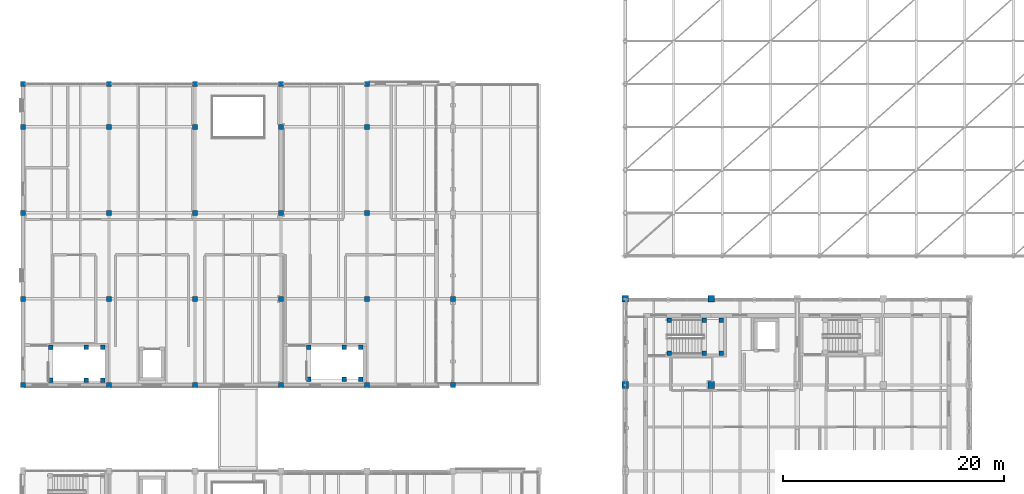
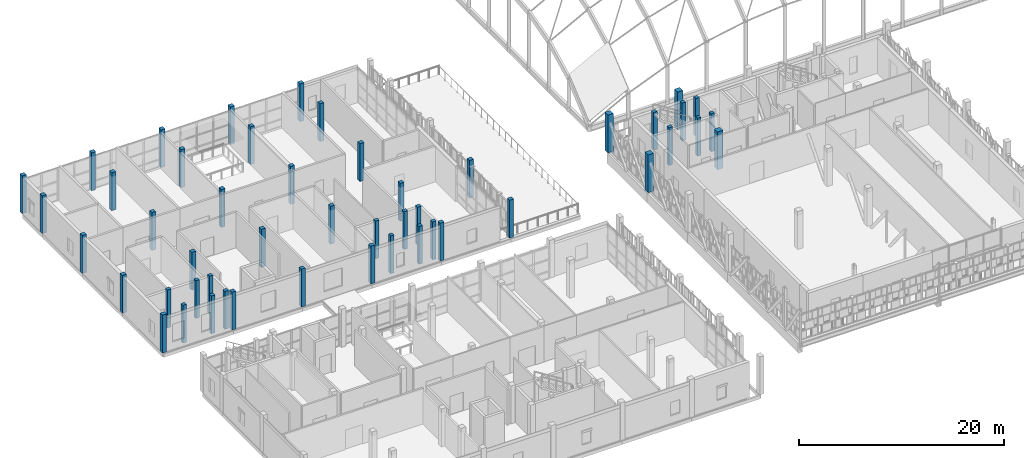
# One storey, part 3 of 119: 49 columns.
"""IFC4 building model written with IfcOpenShell, lengths in metres."""

import ifcopenshell
import ifcopenshell.guid

model = None  # the IFC model being written
_history = None  # IfcOwnerHistory: only IFC2X3 demands one
_inside = {}  # id of a spatial element -> (the spatial element, [elements in it])
_under = {}  # id of a project, library or spatial element -> (it, [spatial elements below it])
_declared = {}  # id of a project -> (the project, [libraries it declares])
_typed = {}  # id of a type object -> (the type object, [elements of that type])
_made_of = {}  # id of a material, layer set ... -> (it, [elements and type objects made of it])


def new_model(schema):
    """Start an empty IFC model of exactly this schema.

    Asked for "IFC4X3", IfcOpenShell would pick the latest addendum, in which some entities
    have other attributes; the version numbers below select the first issue.
    IFC2X3 requires an IfcOwnerHistory on every rooted entity: one is made here for all.
    """
    global model, _history
    if schema == "IFC4X3":
        model = ifcopenshell.file(schema_version=(4, 3, 0, 0))
    else:
        model = ifcopenshell.file(schema=schema)
    _inside.clear()
    _under.clear()
    _declared.clear()
    _typed.clear()
    _made_of.clear()
    _history = None
    if model.schema == "IFC2X3":
        org = make("IfcOrganization", Name="unknown")
        user = make(
            "IfcPersonAndOrganization",
            ThePerson=make("IfcPerson", FamilyName="unknown"),
            TheOrganization=org,
        )
        app = make(
            "IfcApplication",
            ApplicationDeveloper=org,
            Version="unknown",
            ApplicationFullName="unknown",
            ApplicationIdentifier="unknown",
        )
        _history = make(
            "IfcOwnerHistory",
            OwningUser=user,
            OwningApplication=app,
            ChangeAction="ADDED",
            CreationDate=0,
        )
    return model


def make(cls, **values):
    """One entity of the class cls with the attributes given. An attribute that is None is left unset."""
    return model.create_entity(
        cls, **{name: value for name, value in values.items() if value is not None}
    )


def rooted(cls, **values):
    """An entity with a GlobalId (a new one), such as an element, a storey or a relation."""
    return make(cls, GlobalId=ifcopenshell.guid.new(), OwnerHistory=_history, **values)


def si_unit(unit_type, name, prefix=None):
    """IfcSIUnit, for example si_unit("LENGTHUNIT", "METRE", prefix="MILLI")."""
    return make("IfcSIUnit", UnitType=unit_type, Prefix=prefix, Name=name)


def assignment(units):
    """IfcUnitAssignment: the units of a project."""
    return None if units is None else make("IfcUnitAssignment", Units=units)


def point(xyz):
    """IfcCartesianPoint."""
    return None if xyz is None else make("IfcCartesianPoint", Coordinates=xyz)


def direction(xyz):
    """IfcDirection."""
    return None if xyz is None else make("IfcDirection", DirectionRatios=xyz)


def frame(location, z_axis=None, x_axis=None):
    """IfcAxis2Placement3D, a coordinate frame: its origin and axes. An axis left out is left unset."""
    return make(
        "IfcAxis2Placement3D",
        Location=point(location),
        Axis=direction(z_axis),
        RefDirection=direction(x_axis),
    )


def frame_2d(location, x_axis=None):
    """IfcAxis2Placement2D, a coordinate frame in the plane: its origin and x axis."""
    return make(
        "IfcAxis2Placement2D", Location=point(location), RefDirection=direction(x_axis)
    )


def origin():
    """The frame at (0, 0, 0) with its axes left unset."""
    return frame((0.0, 0.0, 0.0))


def origin_2d():
    """The frame at (0, 0) in the plane with its x axis left unset."""
    return frame_2d((0.0, 0.0))


def place(relative_to, where):
    """IfcLocalPlacement: puts the frame where relative to a parent placement (None: the world)."""
    return make(
        "IfcLocalPlacement", PlacementRelTo=relative_to, RelativePlacement=where
    )


def context(
    kind, dimensions, precision=None, world=None, true_north=None, identifier=None
):
    """IfcGeometricRepresentationContext, for example the 3D "Model" context."""
    return make(
        "IfcGeometricRepresentationContext",
        ContextIdentifier=identifier,
        ContextType=kind,
        CoordinateSpaceDimension=dimensions,
        Precision=precision,
        WorldCoordinateSystem=world,
        TrueNorth=true_north,
    )


def subcontext(parent, identifier, kind, view, scale=None):
    """IfcGeometricRepresentationSubContext, for example "Body" below "Model"."""
    return make(
        "IfcGeometricRepresentationSubContext",
        ContextIdentifier=identifier,
        ContextType=kind,
        ParentContext=parent,
        TargetScale=scale,
        TargetView=view,
    )


def project(units=None, contexts=None):
    """IfcProject with its units and contexts."""
    return rooted(
        "IfcProject",
        Name="project",
        RepresentationContexts=contexts,
        UnitsInContext=assignment(units),
    )


def spatial(cls, under=None, at=None, **own):
    """A site, building, storey or space (cls), placed at a placement, below another one or the project."""
    s = rooted(cls, ObjectPlacement=at, **own)
    if under is not None:
        _under.setdefault(under.id(), (under, []))[1].append(s)
    return s


def profile(cls, at=None, kind="AREA", **sizes):
    """A parametric profile (cls). Its sizes go by their IFC names, for example OverallWidth=200.0."""
    return make(cls, ProfileType=kind, Position=at, **sizes)


def rectangle(**sizes):
    """IfcRectangleProfileDef."""
    return profile("IfcRectangleProfileDef", **sizes)


def extrude(swept, where, along, depth):
    """IfcExtrudedAreaSolid: the profile swept, set in the frame where, extruded along a direction by depth."""
    return make(
        "IfcExtrudedAreaSolid",
        SweptArea=swept,
        Position=where,
        ExtrudedDirection=direction(along),
        Depth=depth,
    )


def shape(context_of_items, identifier, shape_type, items):
    """IfcShapeRepresentation: the items that make up one representation, for example the "Body"."""
    return make(
        "IfcShapeRepresentation",
        ContextOfItems=context_of_items,
        RepresentationIdentifier=identifier,
        RepresentationType=shape_type,
        Items=items,
    )


def material(Name=None, Category=None):
    """IfcMaterial."""
    return make("IfcMaterial", Name=Name, Category=Category)


def material_profile(
    of_material, cross_section, Name=None, Category=None, Priority=None
):
    """IfcMaterialProfile: a cross section and its material."""
    return make(
        "IfcMaterialProfile",
        Name=Name,
        Material=of_material,
        Profile=cross_section,
        Priority=Priority,
        Category=Category,
    )


def profile_set(profiles, Name=None, composite=None):
    """IfcMaterialProfileSet."""
    return make(
        "IfcMaterialProfileSet",
        Name=Name,
        MaterialProfiles=profiles,
        CompositeProfile=composite,
    )


def made_of(thing, what):
    """Note that an element or type object is made of a material, layer set ...; save() writes the relation."""
    if what is not None:
        _made_of.setdefault(what.id(), (what, []))[1].append(thing)
    return thing


def type_object(cls, material=None, **own):
    """A type object (cls), such as IfcWallType, which elements share."""
    return made_of(rooted(cls, **own), material)


def element(
    cls,
    number,
    at=None,
    inside=None,
    cuts=None,
    type_object=None,
    material=None,
    context=None,
    identifier="Body",
    shape_type=None,
    held_by="IfcProductDefinitionShape",
    body=None,
    shapes=None,
    **own,
):
    """One element of the class cls, such as IfcWall. Its Tag is "e" and its number.

    at: its placement. inside: the storey or other place that contains it. cuts: it is an
    opening in that element (IfcRelVoidsElement). A single representation is given by context,
    identifier, shape_type and body (its items); several are given by shapes. held_by: the class
    of the entity that holds the representations. save() writes the other relations.
    """
    e = rooted(cls, Tag="e%d" % number, ObjectPlacement=at, **own)
    if body is not None:
        shapes = [shape(context, identifier, shape_type, body)]
    if shapes is not None:
        e.Representation = make(held_by, Representations=shapes)
    if inside is not None:
        _inside.setdefault(inside.id(), (inside, []))[1].append(e)
    if cuts is not None:
        rooted(
            "IfcRelVoidsElement", RelatingBuildingElement=cuts, RelatedOpeningElement=e
        )
    if type_object is not None:
        _typed.setdefault(type_object.id(), (type_object, []))[1].append(e)
    return made_of(e, material)


def aggregate(whole, parts):
    """IfcRelAggregates: a whole, such as a stair, and the parts it consists of."""
    return rooted("IfcRelAggregates", RelatingObject=whole, RelatedObjects=parts)


def save(model, path):
    """Write the relations noted so far, then the file.

    IfcRelAggregates (storeys below a building ...), IfcRelContainedInSpatialStructure (elements
    in a storey), IfcRelDefinesByType, IfcRelAssociatesMaterial and IfcRelDeclares: one each for
    every whole, place, type object, material and project.
    """
    for whole, parts in _under.values():
        aggregate(whole, parts)
    for where, things in _inside.values():
        rooted(
            "IfcRelContainedInSpatialStructure",
            RelatedElements=things,
            RelatingStructure=where,
        )
    for kind, things in _typed.values():
        rooted("IfcRelDefinesByType", RelatedObjects=things, RelatingType=kind)
    for what, things in _made_of.values():
        rooted("IfcRelAssociatesMaterial", RelatedObjects=things, RelatingMaterial=what)
    for by, libraries in _declared.values():
        rooted("IfcRelDeclares", RelatingContext=by, RelatedDefinitions=libraries)
    model.write(path)


model = new_model("IFC4")

# Units and contexts
model_context = context("Model", 3, precision=1e-05, world=origin(), true_north=direction((0.0, 1.0)))
body_context = subcontext(model_context, "Body", "Model", "MODEL_VIEW")
ifc_project = project(units=[si_unit("LENGTHUNIT", "METRE"), si_unit("AREAUNIT", "SQUARE_METRE"), si_unit("VOLUMEUNIT", "CUBIC_METRE"), si_unit("PLANEANGLEUNIT", "RADIAN"), si_unit("MASSUNIT", "GRAM", prefix="KILO")], contexts=[model_context])

# Site, building, storey
site_placement = place(None, origin())
site = spatial("IfcSite", under=ifc_project, at=site_placement, CompositionType="ELEMENT")
building_placement = place(site_placement, origin())
building = spatial("IfcBuilding", under=site, at=building_placement, Name="Celorna Specialist Clinic", CompositionType="ELEMENT")
storey_placement = place(building_placement, frame((0.0, 0.0, 9.60009765625)))
storey = spatial("IfcBuildingStorey", under=building, at=storey_placement, Name="L02", CompositionType="ELEMENT", Elevation=9.60009765625)

# Columns
ifc_material_1 = material(Name="Concrete C40/50", Category="concrete")
ifc_material_profile_1 = material_profile(ifc_material_1, rectangle(XDim=0.60009765625, YDim=0.60009765625, at=origin_2d()), Name="RC 600x600")
ifc_profile_set_1 = profile_set([ifc_material_profile_1], Name="Concrete C40/50")
column_type_1 = type_object("IfcColumnType", Name="CT-04", PredefinedType="COLUMN", material=ifc_profile_set_1)
for number, where, z_axis, x_axis, name in (
    (1, (54.60009765625, 35.10009765625, 0.0), (0.0, 0.0, 1.0), (1.0, 0.0, 0.0), "Column CT-04 L02 X08/YG"),
    (2, (54.60009765625, 42.89990234375, 0.0), (0.0, 0.0, 1.0), (1.0, 0.0, 0.0), "Column CT-04 L02 X08/YH"),
    (3, (62.39990234375, 35.10009765625, 0.0), (0.0, 0.0, 1.0), (1.0, 0.0, 0.0), "Column CT-04 L02 X09/YG"),
    (4, (62.39990234375, 42.89990234375, 0.0), (0.0, 0.0, 1.0), (1.0, 0.0, 0.0), "Column CT-04 L02 X09/YH"),
):
    element("IfcColumn", number, at=place(storey_placement, frame(where, z_axis=z_axis, x_axis=x_axis)), inside=storey, type_object=column_type_1, Name=name, PredefinedType="COLUMN", context=body_context, shape_type="SweptSolid", body=[
        extrude(rectangle(XDim=0.60009765625, YDim=0.60009765625, at=origin_2d()), origin(), (0.0, 0.0, 1.0), 4.5),
    ])
ifc_material_2 = material(Name="Concrete C35/45", Category="concrete")
ifc_material_profile_2 = material_profile(ifc_material_2, rectangle(XDim=0.449951171875, YDim=0.449951171875, at=origin_2d()), Name="RC 450x450")
ifc_profile_set_2 = profile_set([ifc_material_profile_2], Name="Concrete C35/45")
column_type_2 = type_object("IfcColumnType", Name="CT-07", PredefinedType="COLUMN", material=ifc_profile_set_2)
for number, where, z_axis, x_axis, name in (
    (5, (0.0, 35.10009765625, 0.0), (0.0, 0.0, 1.0), (1.0, 0.0, 0.0), "Column CT-07 L02 X01/YG"),
    (6, (0.0, 42.89990234375, 0.0), (0.0, 0.0, 1.0), (1.0, 0.0, 0.0), "Column CT-07 L02 X01/YH"),
    (7, (0.0, 50.699951171875, 0.0), (0.0, 0.0, 1.0), (1.0, 0.0, 0.0), "Column CT-07 L02 X01/YK"),
    (8, (0.0, 58.5, 0.0), (0.0, 0.0, 1.0), (1.0, 0.0, 0.0), "Column CT-07 L02 X01/YL"),
    (9, (0.0, 62.39990234375, 0.0), (0.0, 0.0, 1.0), (1.0, 0.0, 0.0), "Column CT-07 L02 X01/YM"),
    (10, (7.800048828125, 35.10009765625, 0.0), (0.0, 0.0, 1.0), (1.0, 0.0, 0.0), "Column CT-07 L02 X02/YG"),
    (11, (7.800048828125, 42.89990234375, 0.0), (0.0, 0.0, 1.0), (1.0, 0.0, 0.0), "Column CT-07 L02 X02/YH"),
    (12, (7.800048828125, 50.699951171875, 0.0), (0.0, 0.0, 1.0), (1.0, 0.0, 0.0), "Column CT-07 L02 X02/YK"),
    (13, (7.800048828125, 58.5, 0.0), (0.0, 0.0, 1.0), (1.0, 0.0, 0.0), "Column CT-07 L02 X02/YL"),
    (14, (7.800048828125, 62.39990234375, 0.0), (0.0, 0.0, 1.0), (1.0, 0.0, 0.0), "Column CT-07 L02 X02/YM"),
    (15, (15.60009765625, 35.10009765625, 0.0), (0.0, 0.0, 1.0), (1.0, 0.0, 0.0), "Column CT-07 L02 X03/YG"),
    (16, (15.60009765625, 42.89990234375, 0.0), (0.0, 0.0, 1.0), (1.0, 0.0, 0.0), "Column CT-07 L02 X03/YH"),
    (17, (15.60009765625, 50.699951171875, 0.0), (0.0, 0.0, 1.0), (1.0, 0.0, 0.0), "Column CT-07 L02 X03/YK"),
    (18, (15.60009765625, 58.5, 0.0), (0.0, 0.0, 1.0), (1.0, 0.0, 0.0), "Column CT-07 L02 X03/YL"),
    (19, (15.60009765625, 62.39990234375, 0.0), (0.0, 0.0, 1.0), (1.0, 0.0, 0.0), "Column CT-07 L02 X03/YM"),
    (20, (23.39990234375, 35.10009765625, 0.0), (0.0, 0.0, 1.0), (1.0, 0.0, 0.0), "Column CT-07 L02 X04/YG"),
    (21, (23.39990234375, 42.89990234375, 0.0), (0.0, 0.0, 1.0), (1.0, 0.0, 0.0), "Column CT-07 L02 X04/YH"),
    (22, (23.39990234375, 50.699951171875, 0.0), (0.0, 0.0, 1.0), (1.0, 0.0, 0.0), "Column CT-07 L02 X04/YK"),
    (23, (23.39990234375, 58.5, 0.0), (0.0, 0.0, 1.0), (1.0, 0.0, 0.0), "Column CT-07 L02 X04/YL"),
    (24, (23.39990234375, 62.39990234375, 0.0), (0.0, 0.0, 1.0), (1.0, 0.0, 0.0), "Column CT-07 L02 X04/YM"),
    (25, (31.199951171875, 35.10009765625, 0.0), (0.0, 0.0, 1.0), (1.0, 0.0, 0.0), "Column CT-07 L02 X05/YG"),
    (26, (31.199951171875, 42.89990234375, 0.0), (0.0, 0.0, 1.0), (1.0, 0.0, 0.0), "Column CT-07 L02 X05/YH"),
    (27, (31.199951171875, 50.699951171875, 0.0), (0.0, 0.0, 1.0), (1.0, 0.0, 0.0), "Column CT-07 L02 X05/YK"),
    (28, (31.199951171875, 58.5, 0.0), (0.0, 0.0, 1.0), (1.0, 0.0, 0.0), "Column CT-07 L02 X05/YL"),
    (29, (31.199951171875, 62.39990234375, 0.0), (0.0, 0.0, 1.0), (1.0, 0.0, 0.0), "Column CT-07 L02 X05/YM"),
    (30, (39.0, 35.10009765625, 0.0), (0.0, 0.0, 1.0), (1.0, 0.0, 0.0), "Column CT-07 L02 X06/YG"),
    (31, (39.0, 42.89990234375, 0.0), (0.0, 0.0, 1.0), (1.0, 0.0, 0.0), "Column CT-07 L02 X06/YH"),
):
    element("IfcColumn", number, at=place(storey_placement, frame(where, z_axis=z_axis, x_axis=x_axis)), inside=storey, type_object=column_type_2, Name=name, PredefinedType="COLUMN", context=body_context, shape_type="SweptSolid", body=[
        extrude(rectangle(XDim=0.449951171875, YDim=0.449951171875, at=origin_2d()), origin(), (0.0, 0.0, 1.0), 4.5),
    ])
ifc_material_profile_3 = material_profile(ifc_material_2, rectangle(XDim=0.39990234375, YDim=0.39990234375, at=origin_2d()), Name="RC 400x400")
ifc_profile_set_3 = profile_set([ifc_material_profile_3], Name="Concrete C35/45")
column_type_3 = type_object("IfcColumnType", Name="CT-08", PredefinedType="COLUMN", material=ifc_profile_set_3)
for number, where, z_axis, x_axis, name in (
    (32, (2.52001953125, 35.530029296875, 0.0), (0.0, 0.0, 1.0), (1.0, 0.0, 0.0), "Stair ST-06 landing column CT-08 L02 X01/YG"),
    (33, (2.52001953125, 38.530029296875, 0.0), (0.0, 0.0, 1.0), (1.0, 0.0, 0.0), "Stair ST-06 landing column CT-08 L02 X01/YG"),
    (34, (5.719970703125, 35.530029296875, 0.0), (0.0, 0.0, 1.0), (1.0, 0.0, 0.0), "Stair ST-06 landing column CT-08 L02 X02/YG"),
    (35, (5.719970703125, 38.530029296875, 0.0), (0.0, 0.0, 1.0), (1.0, 0.0, 0.0), "Stair ST-06 landing column CT-08 L02 X02/YG"),
    (36, (7.239990234375, 35.530029296875, 0.0), (0.0, 0.0, 1.0), (1.0, 0.0, 0.0), "Stair ST-06 landing column CT-08 L02 X02/YG"),
    (37, (7.239990234375, 38.530029296875, 0.0), (0.0, 0.0, 1.0), (1.0, 0.0, 0.0), "Stair ST-06 landing column CT-08 L02 X02/YG"),
    (38, (25.919921875, 35.6298828125, 0.0), (0.0, 0.0, 1.0), (1.0, 0.0, 0.0), "Stair ST-07 landing column CT-08 L02 X04/YG"),
    (39, (25.919921875, 38.530029296875, 0.0), (0.0, 0.0, 1.0), (1.0, 0.0, 0.0), "Stair ST-07 landing column CT-08 L02 X04/YG"),
    (40, (29.1201171875, 35.6298828125, 0.0), (0.0, 0.0, 1.0), (1.0, 0.0, 0.0), "Stair ST-07 landing column CT-08 L02 X05/YG"),
    (41, (29.1201171875, 38.530029296875, 0.0), (0.0, 0.0, 1.0), (1.0, 0.0, 0.0), "Stair ST-07 landing column CT-08 L02 X05/YG"),
    (42, (30.639892578125, 35.6298828125, 0.0), (0.0, 0.0, 1.0), (1.0, 0.0, 0.0), "Stair ST-07 landing column CT-08 L02 X05/YG"),
    (43, (30.639892578125, 38.530029296875, 0.0), (0.0, 0.0, 1.0), (1.0, 0.0, 0.0), "Stair ST-07 landing column CT-08 L02 X05/YG"),
    (44, (58.580078125, 37.969970703125, 0.0), (0.0, 0.0, 1.0), (1.0, 0.0, 0.0), "Stair ST-08 landing column CT-08 L02 X09/YG"),
    (45, (58.580078125, 40.969970703125, 0.0), (0.0, 0.0, 1.0), (1.0, 0.0, 0.0), "Stair ST-08 landing column CT-08 L02 X09/YH"),
    (46, (61.780029296875, 37.969970703125, 0.0), (0.0, 0.0, 1.0), (1.0, 0.0, 0.0), "Stair ST-08 landing column CT-08 L02 X09/YG"),
    (47, (61.780029296875, 40.969970703125, 0.0), (0.0, 0.0, 1.0), (1.0, 0.0, 0.0), "Stair ST-08 landing column CT-08 L02 X09/YH"),
    (48, (63.300048828125, 37.969970703125, 0.0), (0.0, 0.0, 1.0), (1.0, 0.0, 0.0), "Stair ST-08 landing column CT-08 L02 X09/YG"),
    (49, (63.300048828125, 40.969970703125, 0.0), (0.0, 0.0, 1.0), (1.0, 0.0, 0.0), "Stair ST-08 landing column CT-08 L02 X09/YH"),
):
    element("IfcColumn", number, at=place(storey_placement, frame(where, z_axis=z_axis, x_axis=x_axis)), inside=storey, type_object=column_type_3, Name=name, PredefinedType="COLUMN", context=body_context, shape_type="SweptSolid", body=[
        extrude(rectangle(XDim=0.39990234375, YDim=0.39990234375, at=origin_2d()), origin(), (0.0, 0.0, 1.0), 4.5),
    ])

save(model, "model.ifc")
